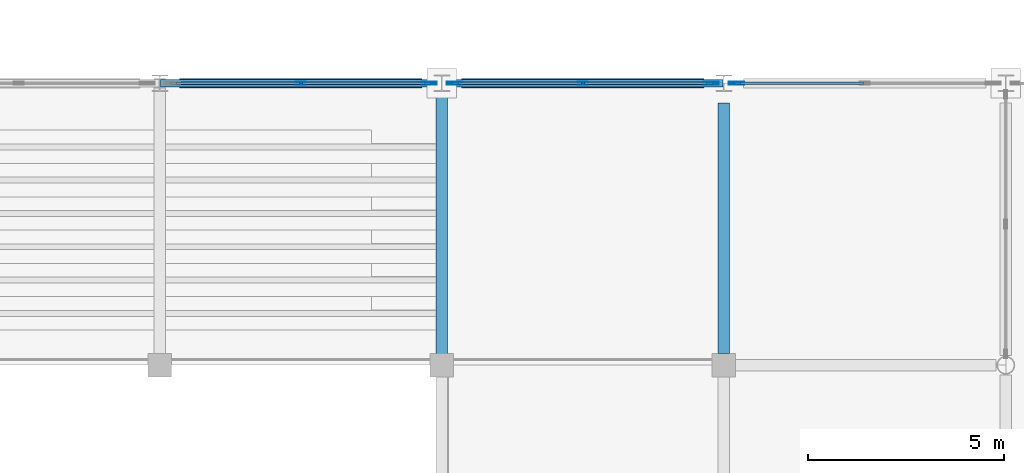
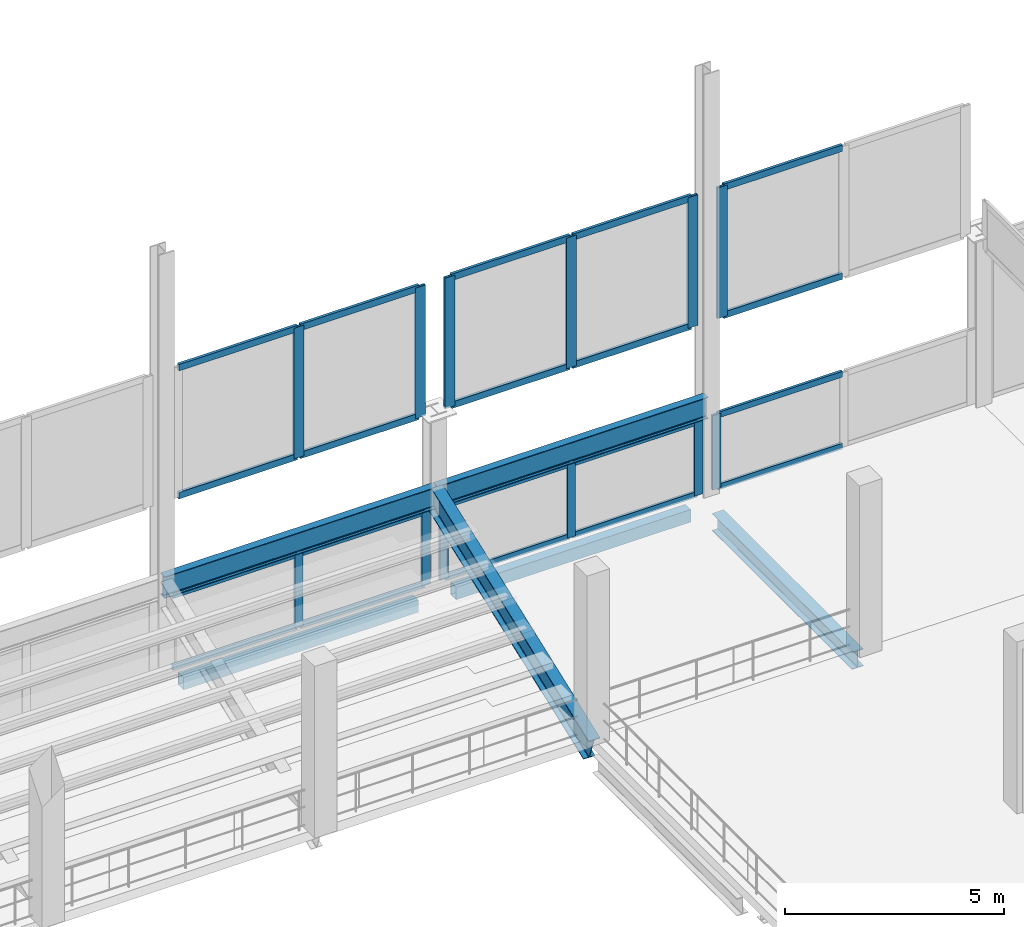
# One storey, part 55 of 120: 32 members, 6 beams, 6 elements without a shape of their own.
"""IFC4 building model written with IfcOpenShell, lengths in metres."""

from ifc_helpers import new_model, si_unit, direction, frame, origin, origin_2d, place, context, subcontext, project, spatial, hollow_rectangle, i_section, extrude, material, material_profile, profile_set, type_object, element, aggregate, save


model = new_model("IFC4")

# Units and contexts
model_context = context("Model", 3, precision=1e-05, world=origin(), true_north=direction((0.0, 1.0)))
body_context = subcontext(model_context, "Body", "Model", "MODEL_VIEW")
ifc_project = project(units=[si_unit("LENGTHUNIT", "METRE"), si_unit("AREAUNIT", "SQUARE_METRE"), si_unit("VOLUMEUNIT", "CUBIC_METRE"), si_unit("PLANEANGLEUNIT", "RADIAN"), si_unit("MASSUNIT", "GRAM", prefix="KILO")], contexts=[model_context])

# Site, building, storey
site_placement = place(None, origin())
site = spatial("IfcSite", under=ifc_project, at=site_placement, CompositionType="ELEMENT")
building_placement = place(site_placement, origin())
building = spatial("IfcBuilding", under=site, at=building_placement, Name="Vesperath Aquatics Centre", CompositionType="ELEMENT")
storey_placement = place(building_placement, frame((0.0, 0.0, 10.199951171875)))
storey = spatial("IfcBuildingStorey", under=building, at=storey_placement, Name="L02", CompositionType="ELEMENT", Elevation=10.199951171875)

# Beams
ifc_material_1 = material(Name="Steel Q355C", Category="steel")
ifc_material_profile_1 = material_profile(ifc_material_1, i_section(OverallWidth=0.300048828125, OverallDepth=0.488037109375, WebThickness=0.010986328125, FlangeThickness=0.01806640625, FilletRadius=0.02587890625, at=origin_2d()), Name="HM 488x300x11x18")
ifc_profile_set_1 = profile_set([ifc_material_profile_1], Name="Steel Q355C")
beam_type_1 = type_object("IfcBeamType", Name="BM-G10", PredefinedType="BEAM", material=ifc_profile_set_1)
beam_1_placement = place(storey_placement, frame((93.60009765625, 79.5, -0.50390625), z_axis=(0.0, 1.0, 0.0), x_axis=(-1.0, 0.0, 0.0)))
element("IfcBeam", 1, at=beam_1_placement, inside=storey, type_object=beam_type_1, Name="Floor Girder B10 L02 14 M-N", PredefinedType="BEAM", context=body_context, shape_type="SweptSolid", body=[
    extrude(i_section(OverallWidth=0.300048828125, OverallDepth=0.488037109375, WebThickness=0.010986328125, FlangeThickness=0.01806640625, FilletRadius=0.02587890625, at=origin_2d()), origin(), (0.0, 0.0, 1.0), 6.39990234375),
])
ifc_material_2 = material(Name="Steel Q355D", Category="steel")
ifc_material_profile_2 = material_profile(ifc_material_2, i_section(OverallWidth=0.300048828125, OverallDepth=0.699951171875, WebThickness=0.012939453125, FlangeThickness=0.02392578125, FilletRadius=0.028076171875, at=origin_2d()), Name="HN 700x300x13x24")
ifc_profile_set_2 = profile_set([ifc_material_profile_2], Name="Steel Q355D")
beam_type_2 = type_object("IfcBeamType", Name="BM-RK02", PredefinedType="USERDEFINED", material=ifc_profile_set_2)
beam_2_placement = place(storey_placement, frame((86.39990234375, 79.199951171875, -0.300048828125), z_axis=(0.0, 0.936320043878, 0.351147797134), x_axis=(-1.0, 0.0, 0.0)))
element("IfcBeam", 2, at=beam_2_placement, inside=storey, type_object=beam_type_2, Name="Upper Stand RAKER Beam RK02 North 13", ObjectType="RAKER", PredefinedType="USERDEFINED", context=body_context, shape_type="SweptSolid", body=[
    extrude(i_section(OverallWidth=0.300048828125, OverallDepth=0.699951171875, WebThickness=0.012939453125, FlangeThickness=0.02392578125, FilletRadius=0.028076171875, at=origin_2d()), origin(), (0.0, 0.0, 1.0), 7.689697265625),
])
ifc_material_profile_3 = material_profile(ifc_material_2, i_section(OverallWidth=0.199951171875, OverallDepth=0.60009765625, WebThickness=0.010986328125, FlangeThickness=0.01708984375, FilletRadius=0.02197265625, at=origin_2d()), Name="HN 600x200x11x17")
ifc_profile_set_3 = profile_set([ifc_material_profile_3], Name="Steel Q355D")
beam_type_3 = type_object("IfcBeamType", Name="BM-RKH1", PredefinedType="BEAM", material=ifc_profile_set_3)
beam_3_placement = place(storey_placement, frame((79.219970703125, 86.39990234375, 2.400146484375), z_axis=(1.0, 0.0, 0.0), x_axis=(0.0, 1.0, 0.0)))
element("IfcBeam", 3, at=beam_3_placement, inside=storey, type_object=beam_type_3, Name="Upper Bowl Rim Girder RKH1 North 12-13", PredefinedType="BEAM", context=body_context, shape_type="SweptSolid", body=[
    extrude(i_section(OverallWidth=0.199951171875, OverallDepth=0.60009765625, WebThickness=0.010986328125, FlangeThickness=0.01708984375, FilletRadius=0.02197265625, at=origin_2d()), origin(), (0.0, 0.0, 1.0), 7.159912109375),
])
beam_4_placement = place(storey_placement, frame((86.419921875, 86.39990234375, 2.400146484375), z_axis=(1.0, 0.0, 0.0), x_axis=(0.0, 1.0, 0.0)))
element("IfcBeam", 4, at=beam_4_placement, inside=storey, type_object=beam_type_3, Name="Upper Bowl Rim Girder RKH1 North 13-14", PredefinedType="BEAM", context=body_context, shape_type="SweptSolid", body=[
    extrude(i_section(OverallWidth=0.199951171875, OverallDepth=0.60009765625, WebThickness=0.010986328125, FlangeThickness=0.01708984375, FilletRadius=0.02197265625, at=origin_2d()), origin(), (0.0, 0.0, 1.0), 7.16015625),
])
ifc_material_profile_4 = material_profile(ifc_material_2, hollow_rectangle(XDim=0.25, YDim=0.35009765625, WallThickness=0.011962890625, at=origin_2d()), Name="RHS 350x250x12")
ifc_profile_set_4 = profile_set([ifc_material_profile_4], Name="Steel Q355D")
beam_type_4 = type_object("IfcBeamType", Name="BM-SP02", PredefinedType="SPANDREL", material=ifc_profile_set_4)
beam_5_placement = place(storey_placement, frame((79.699951171875, 86.39990234375, -0.43505859375), z_axis=(1.0, 0.0, 0.0), x_axis=(0.0, 1.0, 0.0)))
element("IfcBeam", 5, at=beam_5_placement, inside=storey, type_object=beam_type_4, Name="Floor Girder SP02 L02 N 12-13", PredefinedType="SPANDREL", context=body_context, shape_type="SweptSolid", body=[
    extrude(hollow_rectangle(XDim=0.25, YDim=0.35009765625, WallThickness=0.011962890625, at=origin_2d()), origin(), (0.0, 0.0, 1.0), 6.199951171875),
])
beam_6_placement = place(storey_placement, frame((86.89990234375, 86.39990234375, -0.43505859375), z_axis=(1.0, 0.0, 0.0), x_axis=(0.0, 1.0, 0.0)))
element("IfcBeam", 6, at=beam_6_placement, inside=storey, type_object=beam_type_4, Name="Floor Girder SP02 L02 N 13-14", PredefinedType="SPANDREL", context=body_context, shape_type="SweptSolid", body=[
    extrude(hollow_rectangle(XDim=0.25, YDim=0.35009765625, WallThickness=0.011962890625, at=origin_2d()), origin(), (0.0, 0.0, 1.0), 6.2001953125),
])

# Curtain wall, members
ifc_material_3 = material(Name="Thermally broken anodised bronze aluminium curtain wall", Category="aluminium")
curtain_wall_type_1 = type_object("IfcCurtainWallType", Name="CW-08", PredefinedType="NOTDEFINED", material=ifc_material_3)
curtain_wall_1_placement = place(storey_placement, origin())
curtain_wall_1 = element("IfcCurtainWall", 7, at=curtain_wall_1_placement, inside=storey, type_object=curtain_wall_type_1, Name="Natatorium Gable East Curtain Wall CW08 N-6E", PredefinedType="NOTDEFINED")
ifc_material_4 = material(Name="Thermally broken anodised aluminium", Category="aluminium")
ifc_material_profile_5 = material_profile(ifc_material_4, hollow_rectangle(XDim=0.074951171875, YDim=0.260009765625, WallThickness=0.006103515625, at=origin_2d()), Name="CWM 75x260x6")
ifc_profile_set_5 = profile_set([ifc_material_profile_5], Name="Thermally broken anodised aluminium")
member_type_1 = type_object("IfcMemberType", Name="MB-CWM1", PredefinedType="MULLION", material=ifc_profile_set_5)
member_1_placement = place(storey_placement, frame((82.800048828125, 86.39990234375, 4.75), z_axis=(0.0, 0.0, 1.0), x_axis=(0.0, 1.0, 0.0)))
member_1 = element("IfcMember", 8, at=member_1_placement, type_object=member_type_1, Name="CW08 mullion 2", PredefinedType="MULLION", context=body_context, shape_type="SweptSolid", body=[
    extrude(hollow_rectangle(XDim=0.074951171875, YDim=0.260009765625, WallThickness=0.006103515625, at=origin_2d()), origin(), (0.0, 0.0, 1.0), 3.650146484375),
])
member_2_placement = place(storey_placement, frame((86.012451171875, 86.39990234375, 4.75), z_axis=(0.0, 0.0, 1.0), x_axis=(0.0, 1.0, 0.0)))
member_2 = element("IfcMember", 9, at=member_2_placement, type_object=member_type_1, Name="CW08 mullion 3", PredefinedType="MULLION", context=body_context, shape_type="SweptSolid", body=[
    extrude(hollow_rectangle(XDim=0.074951171875, YDim=0.260009765625, WallThickness=0.006103515625, at=origin_2d()), origin(), (0.0, 0.0, 1.0), 3.650146484375),
])

curtain_wall_2_placement = place(storey_placement, origin())
curtain_wall_2 = element("IfcCurtainWall", 10, at=curtain_wall_2_placement, inside=storey, type_object=curtain_wall_type_1, Name="Natatorium Gable West Curtain Wall CW08 N-7W", PredefinedType="NOTDEFINED")
member_3_placement = place(storey_placement, frame((86.78759765625, 86.39990234375, 4.75), z_axis=(0.0, 0.0, 1.0), x_axis=(0.0, 1.0, 0.0)))
member_3 = element("IfcMember", 11, at=member_3_placement, type_object=member_type_1, Name="CW08 mullion 1", PredefinedType="MULLION", context=body_context, shape_type="SweptSolid", body=[
    extrude(hollow_rectangle(XDim=0.074951171875, YDim=0.260009765625, WallThickness=0.006103515625, at=origin_2d()), origin(), (0.0, 0.0, 1.0), 3.650146484375),
])
member_4_placement = place(storey_placement, frame((90.0, 86.39990234375, 4.75), z_axis=(0.0, 0.0, 1.0), x_axis=(0.0, 1.0, 0.0)))
member_4 = element("IfcMember", 12, at=member_4_placement, type_object=member_type_1, Name="CW08 mullion 2", PredefinedType="MULLION", context=body_context, shape_type="SweptSolid", body=[
    extrude(hollow_rectangle(XDim=0.074951171875, YDim=0.260009765625, WallThickness=0.006103515625, at=origin_2d()), origin(), (0.0, 0.0, 1.0), 3.650146484375),
])
member_5_placement = place(storey_placement, frame((93.21240234375, 86.39990234375, 4.75), z_axis=(0.0, 0.0, 1.0), x_axis=(0.0, 1.0, 0.0)))
member_5 = element("IfcMember", 13, at=member_5_placement, type_object=member_type_1, Name="CW08 mullion 3", PredefinedType="MULLION", context=body_context, shape_type="SweptSolid", body=[
    extrude(hollow_rectangle(XDim=0.074951171875, YDim=0.260009765625, WallThickness=0.006103515625, at=origin_2d()), origin(), (0.0, 0.0, 1.0), 3.650146484375),
])

# Curtain wall, member
curtain_wall_3_placement = place(storey_placement, origin())
curtain_wall_3 = element("IfcCurtainWall", 14, at=curtain_wall_3_placement, inside=storey, type_object=curtain_wall_type_1, Name="Natatorium Gable East Curtain Wall CW08 N-7E", PredefinedType="NOTDEFINED")
member_6_placement = place(storey_placement, frame((93.987548828125, 86.39990234375, 4.75), z_axis=(0.0, 0.0, 1.0), x_axis=(0.0, 1.0, 0.0)))
member_6 = element("IfcMember", 15, at=member_6_placement, type_object=member_type_1, Name="CW08 mullion 1", PredefinedType="MULLION", context=body_context, shape_type="SweptSolid", body=[
    extrude(hollow_rectangle(XDim=0.074951171875, YDim=0.260009765625, WallThickness=0.006103515625, at=origin_2d()), origin(), (0.0, 0.0, 1.0), 3.650146484375),
])

# Curtain wall, members
curtain_wall_type_2 = type_object("IfcCurtainWallType", Name="CW-06", PredefinedType="NOTDEFINED", material=ifc_material_3)
curtain_wall_4_placement = place(storey_placement, origin())
curtain_wall_4 = element("IfcCurtainWall", 16, at=curtain_wall_4_placement, inside=storey, type_object=curtain_wall_type_2, Name="Facade Curtain Wall CW06 L02_N_11_12", PredefinedType="NOTDEFINED")
ifc_material_profile_6 = material_profile(ifc_material_4, hollow_rectangle(XDim=0.070068359375, YDim=0.219970703125, WallThickness=0.0048828125, at=origin_2d()), Name="CWM 70x220x5")
ifc_profile_set_6 = profile_set([ifc_material_profile_6], Name="Thermally broken anodised aluminium")
member_type_2 = type_object("IfcMemberType", Name="MB-CWM2", PredefinedType="MULLION", material=ifc_profile_set_6)
member_7_placement = place(storey_placement, frame((82.800048828125, 86.39990234375, 0.0), z_axis=(0.0, 0.0, 1.0), x_axis=(0.0, 1.0, 0.0)))
member_7 = element("IfcMember", 17, at=member_7_placement, type_object=member_type_2, Name="CW06 mullion 2", PredefinedType="MULLION", context=body_context, shape_type="SweptSolid", body=[
    extrude(hollow_rectangle(XDim=0.070068359375, YDim=0.219970703125, WallThickness=0.0048828125, at=origin_2d()), origin(), (0.0, 0.0, 1.0), 2.080078125),
])
member_8_placement = place(storey_placement, frame((86.16162109375, 86.39990234375, 0.0), z_axis=(0.0, 0.0, 1.0), x_axis=(0.0, 1.0, 0.0)))
member_8 = element("IfcMember", 18, at=member_8_placement, type_object=member_type_2, Name="CW06 mullion 3", PredefinedType="MULLION", context=body_context, shape_type="SweptSolid", body=[
    extrude(hollow_rectangle(XDim=0.070068359375, YDim=0.219970703125, WallThickness=0.0048828125, at=origin_2d()), origin(), (0.0, 0.0, 1.0), 2.080078125),
])

curtain_wall_5_placement = place(storey_placement, origin())
curtain_wall_5 = element("IfcCurtainWall", 19, at=curtain_wall_5_placement, inside=storey, type_object=curtain_wall_type_2, Name="Facade Curtain Wall CW06 L02_N_12_12", PredefinedType="NOTDEFINED")
member_9_placement = place(storey_placement, frame((86.638427734375, 86.39990234375, 0.0), z_axis=(0.0, 0.0, 1.0), x_axis=(0.0, 1.0, 0.0)))
member_9 = element("IfcMember", 20, at=member_9_placement, type_object=member_type_2, Name="CW06 mullion 1", PredefinedType="MULLION", context=body_context, shape_type="SweptSolid", body=[
    extrude(hollow_rectangle(XDim=0.070068359375, YDim=0.219970703125, WallThickness=0.0048828125, at=origin_2d()), origin(), (0.0, 0.0, 1.0), 2.080078125),
])
member_10_placement = place(storey_placement, frame((90.0, 86.39990234375, 0.0), z_axis=(0.0, 0.0, 1.0), x_axis=(0.0, 1.0, 0.0)))
member_10 = element("IfcMember", 21, at=member_10_placement, type_object=member_type_2, Name="CW06 mullion 2", PredefinedType="MULLION", context=body_context, shape_type="SweptSolid", body=[
    extrude(hollow_rectangle(XDim=0.070068359375, YDim=0.219970703125, WallThickness=0.0048828125, at=origin_2d()), origin(), (0.0, 0.0, 1.0), 2.080078125),
])
member_11_placement = place(storey_placement, frame((93.361572265625, 86.39990234375, 0.0), z_axis=(0.0, 0.0, 1.0), x_axis=(0.0, 1.0, 0.0)))
member_11 = element("IfcMember", 22, at=member_11_placement, type_object=member_type_2, Name="CW06 mullion 3", PredefinedType="MULLION", context=body_context, shape_type="SweptSolid", body=[
    extrude(hollow_rectangle(XDim=0.070068359375, YDim=0.219970703125, WallThickness=0.0048828125, at=origin_2d()), origin(), (0.0, 0.0, 1.0), 2.080078125),
])

# Curtain wall, member
curtain_wall_6_placement = place(storey_placement, origin())
curtain_wall_6 = element("IfcCurtainWall", 23, at=curtain_wall_6_placement, inside=storey, type_object=curtain_wall_type_2, Name="Facade Curtain Wall CW06 L02_N_13_12", PredefinedType="NOTDEFINED")
member_12_placement = place(storey_placement, frame((93.83837890625, 86.39990234375, 0.0), z_axis=(0.0, 0.0, 1.0), x_axis=(0.0, 1.0, 0.0)))
member_12 = element("IfcMember", 24, at=member_12_placement, type_object=member_type_2, Name="CW06 mullion 1", PredefinedType="MULLION", context=body_context, shape_type="SweptSolid", body=[
    extrude(hollow_rectangle(XDim=0.070068359375, YDim=0.219970703125, WallThickness=0.0048828125, at=origin_2d()), origin(), (0.0, 0.0, 1.0), 2.080078125),
])

# Member
ifc_material_profile_7 = material_profile(ifc_material_4, hollow_rectangle(XDim=0.074951171875, YDim=0.179931640625, WallThickness=0.0048828125, at=origin_2d()), Name="CWT 75x180x5")
ifc_profile_set_7 = profile_set([ifc_material_profile_7], Name="Thermally broken anodised aluminium")
member_type_3 = type_object("IfcMemberType", Name="MB-CWT1", PredefinedType="USERDEFINED", material=ifc_profile_set_7)
member_13_placement = place(storey_placement, frame((79.625, 86.39990234375, 4.78759765625), z_axis=(1.0, 0.0, 0.0), x_axis=(0.0, 1.0, 0.0)))
member_13 = element("IfcMember", 25, at=member_13_placement, type_object=member_type_3, Name="CW08 transom 1.1", ObjectType="TRANSOM", PredefinedType="USERDEFINED", context=body_context, shape_type="SweptSolid", body=[
    extrude(hollow_rectangle(XDim=0.074951171875, YDim=0.179931640625, WallThickness=0.0048828125, at=origin_2d()), origin(), (0.0, 0.0, 1.0), 3.137451171875),
])

member_14_placement = place(storey_placement, frame((79.625, 86.39990234375, 8.362548828125), z_axis=(1.0, 0.0, 0.0), x_axis=(0.0, 1.0, 0.0)))
member_14 = element("IfcMember", 26, at=member_14_placement, type_object=member_type_3, Name="CW08 transom 1.2", ObjectType="TRANSOM", PredefinedType="USERDEFINED", context=body_context, shape_type="SweptSolid", body=[
    extrude(hollow_rectangle(XDim=0.074951171875, YDim=0.179931640625, WallThickness=0.0048828125, at=origin_2d()), origin(), (0.0, 0.0, 1.0), 3.137451171875),
])

member_15_placement = place(storey_placement, frame((82.83740234375, 86.39990234375, 4.78759765625), z_axis=(1.0, 0.0, 0.0), x_axis=(0.0, 1.0, 0.0)))
member_15 = element("IfcMember", 27, at=member_15_placement, type_object=member_type_3, Name="CW08 transom 2.1", ObjectType="TRANSOM", PredefinedType="USERDEFINED", context=body_context, shape_type="SweptSolid", body=[
    extrude(hollow_rectangle(XDim=0.074951171875, YDim=0.179931640625, WallThickness=0.0048828125, at=origin_2d()), origin(), (0.0, 0.0, 1.0), 3.1376953125),
])

member_16_placement = place(storey_placement, frame((82.83740234375, 86.39990234375, 8.362548828125), z_axis=(1.0, 0.0, 0.0), x_axis=(0.0, 1.0, 0.0)))
member_16 = element("IfcMember", 28, at=member_16_placement, type_object=member_type_3, Name="CW08 transom 2.2", ObjectType="TRANSOM", PredefinedType="USERDEFINED", context=body_context, shape_type="SweptSolid", body=[
    extrude(hollow_rectangle(XDim=0.074951171875, YDim=0.179931640625, WallThickness=0.0048828125, at=origin_2d()), origin(), (0.0, 0.0, 1.0), 3.1376953125),
])

aggregate(curtain_wall_1, [member_1, member_2, member_13, member_14, member_15, member_16])

member_17_placement = place(storey_placement, frame((86.824951171875, 86.39990234375, 4.78759765625), z_axis=(1.0, 0.0, 0.0), x_axis=(0.0, 1.0, 0.0)))
member_17 = element("IfcMember", 29, at=member_17_placement, type_object=member_type_3, Name="CW08 transom 1.1", ObjectType="TRANSOM", PredefinedType="USERDEFINED", context=body_context, shape_type="SweptSolid", body=[
    extrude(hollow_rectangle(XDim=0.074951171875, YDim=0.179931640625, WallThickness=0.0048828125, at=origin_2d()), origin(), (0.0, 0.0, 1.0), 3.137451171875),
])

member_18_placement = place(storey_placement, frame((86.824951171875, 86.39990234375, 8.362548828125), z_axis=(1.0, 0.0, 0.0), x_axis=(0.0, 1.0, 0.0)))
member_18 = element("IfcMember", 30, at=member_18_placement, type_object=member_type_3, Name="CW08 transom 1.2", ObjectType="TRANSOM", PredefinedType="USERDEFINED", context=body_context, shape_type="SweptSolid", body=[
    extrude(hollow_rectangle(XDim=0.074951171875, YDim=0.179931640625, WallThickness=0.0048828125, at=origin_2d()), origin(), (0.0, 0.0, 1.0), 3.137451171875),
])

member_19_placement = place(storey_placement, frame((90.03759765625, 86.39990234375, 4.78759765625), z_axis=(1.0, 0.0, 0.0), x_axis=(0.0, 1.0, 0.0)))
member_19 = element("IfcMember", 31, at=member_19_placement, type_object=member_type_3, Name="CW08 transom 2.1", ObjectType="TRANSOM", PredefinedType="USERDEFINED", context=body_context, shape_type="SweptSolid", body=[
    extrude(hollow_rectangle(XDim=0.074951171875, YDim=0.179931640625, WallThickness=0.0048828125, at=origin_2d()), origin(), (0.0, 0.0, 1.0), 3.137451171875),
])

member_20_placement = place(storey_placement, frame((90.03759765625, 86.39990234375, 8.362548828125), z_axis=(1.0, 0.0, 0.0), x_axis=(0.0, 1.0, 0.0)))
member_20 = element("IfcMember", 32, at=member_20_placement, type_object=member_type_3, Name="CW08 transom 2.2", ObjectType="TRANSOM", PredefinedType="USERDEFINED", context=body_context, shape_type="SweptSolid", body=[
    extrude(hollow_rectangle(XDim=0.074951171875, YDim=0.179931640625, WallThickness=0.0048828125, at=origin_2d()), origin(), (0.0, 0.0, 1.0), 3.137451171875),
])

aggregate(curtain_wall_2, [member_3, member_4, member_5, member_17, member_18, member_19, member_20])

member_21_placement = place(storey_placement, frame((94.02490234375, 86.39990234375, 4.78759765625), z_axis=(1.0, 0.0, 0.0), x_axis=(0.0, 1.0, 0.0)))
member_21 = element("IfcMember", 33, at=member_21_placement, type_object=member_type_3, Name="CW08 transom 1.1", ObjectType="TRANSOM", PredefinedType="USERDEFINED", context=body_context, shape_type="SweptSolid", body=[
    extrude(hollow_rectangle(XDim=0.074951171875, YDim=0.179931640625, WallThickness=0.0048828125, at=origin_2d()), origin(), (0.0, 0.0, 1.0), 3.1376953125),
])

member_22_placement = place(storey_placement, frame((94.02490234375, 86.39990234375, 8.362548828125), z_axis=(1.0, 0.0, 0.0), x_axis=(0.0, 1.0, 0.0)))
member_22 = element("IfcMember", 34, at=member_22_placement, type_object=member_type_3, Name="CW08 transom 1.2", ObjectType="TRANSOM", PredefinedType="USERDEFINED", context=body_context, shape_type="SweptSolid", body=[
    extrude(hollow_rectangle(XDim=0.074951171875, YDim=0.179931640625, WallThickness=0.0048828125, at=origin_2d()), origin(), (0.0, 0.0, 1.0), 3.1376953125),
])

aggregate(curtain_wall_3, [member_6, member_21, member_22])

ifc_material_profile_8 = material_profile(ifc_material_4, hollow_rectangle(XDim=0.070068359375, YDim=0.159912109375, WallThickness=0.0048828125, at=origin_2d()), Name="CWT 70x160x5")
ifc_profile_set_8 = profile_set([ifc_material_profile_8], Name="Thermally broken anodised aluminium")
member_type_4 = type_object("IfcMemberType", Name="MB-CWT2", PredefinedType="USERDEFINED", material=ifc_profile_set_8)
member_23_placement = place(storey_placement, frame((79.473388671875, 86.39990234375, 0.03515625), z_axis=(1.0, 0.0, 0.0), x_axis=(0.0, 1.0, 0.0)))
member_23 = element("IfcMember", 35, at=member_23_placement, type_object=member_type_4, Name="CW06 transom 1.1", ObjectType="TRANSOM", PredefinedType="USERDEFINED", context=body_context, shape_type="SweptSolid", body=[
    extrude(hollow_rectangle(XDim=0.070068359375, YDim=0.159912109375, WallThickness=0.0048828125, at=origin_2d()), origin(), (0.0, 0.0, 1.0), 3.29150390625),
])

member_24_placement = place(storey_placement, frame((79.473388671875, 86.39990234375, 2.045166015625), z_axis=(1.0, 0.0, 0.0), x_axis=(0.0, 1.0, 0.0)))
member_24 = element("IfcMember", 36, at=member_24_placement, type_object=member_type_4, Name="CW06 transom 1.2", ObjectType="TRANSOM", PredefinedType="USERDEFINED", context=body_context, shape_type="SweptSolid", body=[
    extrude(hollow_rectangle(XDim=0.070068359375, YDim=0.159912109375, WallThickness=0.0048828125, at=origin_2d()), origin(), (0.0, 0.0, 1.0), 3.29150390625),
])

member_25_placement = place(storey_placement, frame((82.8349609375, 86.39990234375, 0.03515625), z_axis=(1.0, 0.0, 0.0), x_axis=(0.0, 1.0, 0.0)))
member_25 = element("IfcMember", 37, at=member_25_placement, type_object=member_type_4, Name="CW06 transom 2.1", ObjectType="TRANSOM", PredefinedType="USERDEFINED", context=body_context, shape_type="SweptSolid", body=[
    extrude(hollow_rectangle(XDim=0.070068359375, YDim=0.159912109375, WallThickness=0.0048828125, at=origin_2d()), origin(), (0.0, 0.0, 1.0), 3.29150390625),
])

member_26_placement = place(storey_placement, frame((82.8349609375, 86.39990234375, 2.045166015625), z_axis=(1.0, 0.0, 0.0), x_axis=(0.0, 1.0, 0.0)))
member_26 = element("IfcMember", 38, at=member_26_placement, type_object=member_type_4, Name="CW06 transom 2.2", ObjectType="TRANSOM", PredefinedType="USERDEFINED", context=body_context, shape_type="SweptSolid", body=[
    extrude(hollow_rectangle(XDim=0.070068359375, YDim=0.159912109375, WallThickness=0.0048828125, at=origin_2d()), origin(), (0.0, 0.0, 1.0), 3.29150390625),
])

aggregate(curtain_wall_4, [member_7, member_8, member_23, member_24, member_25, member_26])

member_27_placement = place(storey_placement, frame((86.673583984375, 86.39990234375, 0.03515625), z_axis=(1.0, 0.0, 0.0), x_axis=(0.0, 1.0, 0.0)))
member_27 = element("IfcMember", 39, at=member_27_placement, type_object=member_type_4, Name="CW06 transom 1.1", ObjectType="TRANSOM", PredefinedType="USERDEFINED", context=body_context, shape_type="SweptSolid", body=[
    extrude(hollow_rectangle(XDim=0.070068359375, YDim=0.159912109375, WallThickness=0.0048828125, at=origin_2d()), origin(), (0.0, 0.0, 1.0), 3.29150390625),
])

member_28_placement = place(storey_placement, frame((86.673583984375, 86.39990234375, 2.045166015625), z_axis=(1.0, 0.0, 0.0), x_axis=(0.0, 1.0, 0.0)))
member_28 = element("IfcMember", 40, at=member_28_placement, type_object=member_type_4, Name="CW06 transom 1.2", ObjectType="TRANSOM", PredefinedType="USERDEFINED", context=body_context, shape_type="SweptSolid", body=[
    extrude(hollow_rectangle(XDim=0.070068359375, YDim=0.159912109375, WallThickness=0.0048828125, at=origin_2d()), origin(), (0.0, 0.0, 1.0), 3.29150390625),
])

member_29_placement = place(storey_placement, frame((90.034912109375, 86.39990234375, 0.03515625), z_axis=(1.0, 0.0, 0.0), x_axis=(0.0, 1.0, 0.0)))
member_29 = element("IfcMember", 41, at=member_29_placement, type_object=member_type_4, Name="CW06 transom 2.1", ObjectType="TRANSOM", PredefinedType="USERDEFINED", context=body_context, shape_type="SweptSolid", body=[
    extrude(hollow_rectangle(XDim=0.070068359375, YDim=0.159912109375, WallThickness=0.0048828125, at=origin_2d()), origin(), (0.0, 0.0, 1.0), 3.29150390625),
])

member_30_placement = place(storey_placement, frame((90.034912109375, 86.39990234375, 2.045166015625), z_axis=(1.0, 0.0, 0.0), x_axis=(0.0, 1.0, 0.0)))
member_30 = element("IfcMember", 42, at=member_30_placement, type_object=member_type_4, Name="CW06 transom 2.2", ObjectType="TRANSOM", PredefinedType="USERDEFINED", context=body_context, shape_type="SweptSolid", body=[
    extrude(hollow_rectangle(XDim=0.070068359375, YDim=0.159912109375, WallThickness=0.0048828125, at=origin_2d()), origin(), (0.0, 0.0, 1.0), 3.29150390625),
])

aggregate(curtain_wall_5, [member_9, member_10, member_11, member_27, member_28, member_29, member_30])

member_31_placement = place(storey_placement, frame((93.87353515625, 86.39990234375, 0.03515625), z_axis=(1.0, 0.0, 0.0), x_axis=(0.0, 1.0, 0.0)))
member_31 = element("IfcMember", 43, at=member_31_placement, type_object=member_type_4, Name="CW06 transom 1.1", ObjectType="TRANSOM", PredefinedType="USERDEFINED", context=body_context, shape_type="SweptSolid", body=[
    extrude(hollow_rectangle(XDim=0.070068359375, YDim=0.159912109375, WallThickness=0.0048828125, at=origin_2d()), origin(), (0.0, 0.0, 1.0), 3.29150390625),
])

member_32_placement = place(storey_placement, frame((93.87353515625, 86.39990234375, 2.045166015625), z_axis=(1.0, 0.0, 0.0), x_axis=(0.0, 1.0, 0.0)))
member_32 = element("IfcMember", 44, at=member_32_placement, type_object=member_type_4, Name="CW06 transom 1.2", ObjectType="TRANSOM", PredefinedType="USERDEFINED", context=body_context, shape_type="SweptSolid", body=[
    extrude(hollow_rectangle(XDim=0.070068359375, YDim=0.159912109375, WallThickness=0.0048828125, at=origin_2d()), origin(), (0.0, 0.0, 1.0), 3.29150390625),
])

aggregate(curtain_wall_6, [member_12, member_31, member_32])

save(model, "model.ifc")
